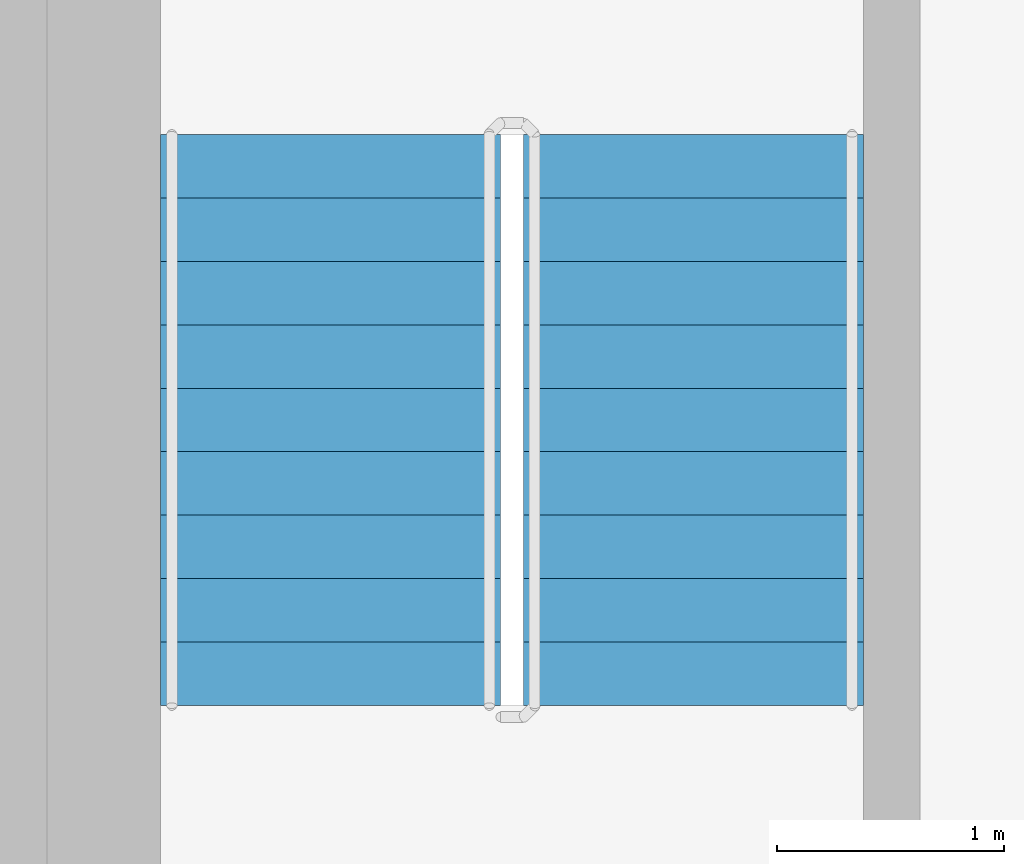
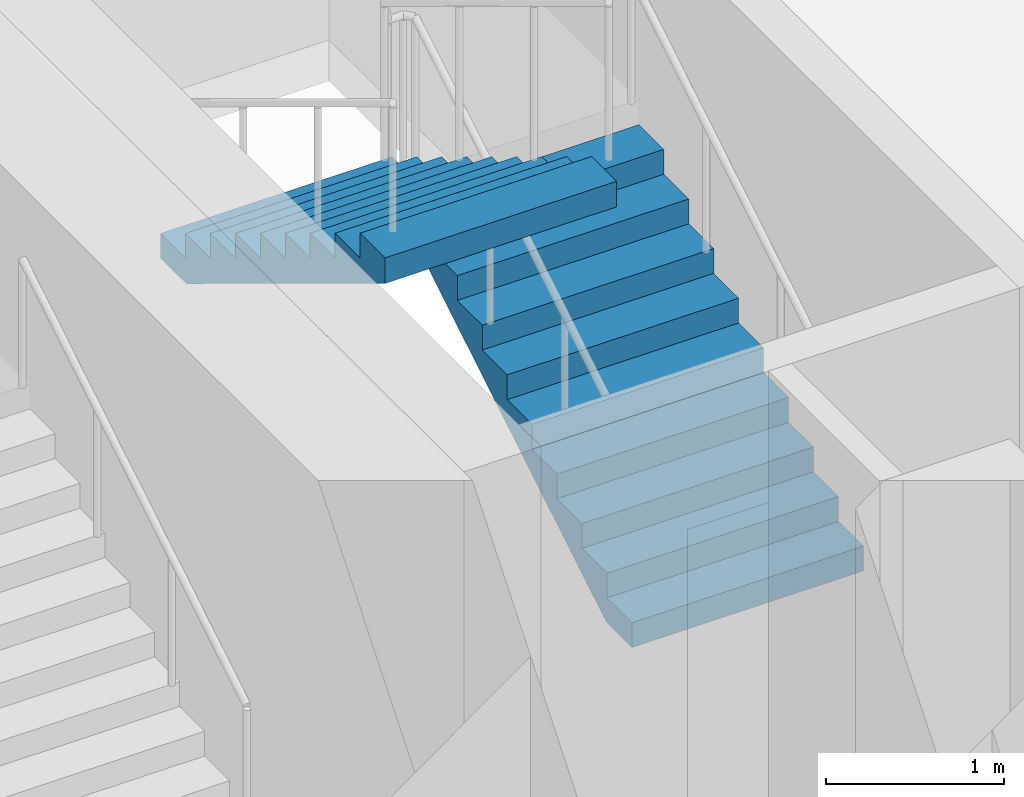
# One storey, part 19 of 22: 2 stair flights, 1 element without a shape of its own.
"""IFC4 building model written with IfcOpenShell, lengths in metres."""

from ifc_helpers import new_model, si_unit, direction, frame, origin, place, context, subcontext, project, spatial, triangles, source, transform, mapped, material, type_object, element, aggregate, save


model = new_model("IFC4")

# Units and contexts
model_context = context("Model", 3, precision=1e-05, world=origin(), true_north=direction((0.0, 1.0)))
body_context = subcontext(model_context, "Body", "Model", "MODEL_VIEW")
ifc_project = project(units=[si_unit("LENGTHUNIT", "METRE"), si_unit("AREAUNIT", "SQUARE_METRE"), si_unit("VOLUMEUNIT", "CUBIC_METRE"), si_unit("PLANEANGLEUNIT", "RADIAN"), si_unit("MASSUNIT", "GRAM", prefix="KILO")], contexts=[model_context])

# Site, building, storey
site_placement = place(None, origin())
site = spatial("IfcSite", under=ifc_project, at=site_placement, CompositionType="ELEMENT")
building_placement = place(site_placement, origin())
building = spatial("IfcBuilding", under=site, at=building_placement, Name="Kilnfold Tower and Market Hall", CompositionType="ELEMENT")
storey_placement = place(building_placement, frame((0.0, 0.0, 220.300048828125)))
storey = spatial("IfcBuildingStorey", under=building, at=storey_placement, Name="L54", CompositionType="ELEMENT", Elevation=220.300048828125)

# Stair, stair flights
ifc_material_1 = material(Name="Concrete C40/50", Category="concrete")
stair_type = type_object("IfcStairType", Name="CORE STAIR 1500", PredefinedType="HALF_TURN_STAIR", material=ifc_material_1)
stair_placement = place(storey_placement, origin())
stair = element("IfcStair", 1, at=stair_placement, inside=storey, type_object=stair_type, Name="L54 ST5", PredefinedType="HALF_TURN_STAIR")
ifc_material_2 = material(Name="Concrete C40/50", Category="concrete")
stair_flight_type = type_object("IfcStairFlightType", Name="CORE STAIR FLIGHT 1500", PredefinedType="STRAIGHT", material=ifc_material_2)
shared_shape = source(origin(), body_context, "Body", "Tessellation", [
    triangles([(0.0, 0.75, 0.0), (0.0, 0.65625, 0.0), (0.0, 0.5625, 0.0), (0.0, 0.46875, 0.0), (0.0, 0.375, 0.0), (0.0, 0.28125, 0.0), (0.0, 0.1875, 0.0), (0.0, 0.09375, 0.0), (0.0, 0.0, 0.0), (0.0, -0.09375, 0.0), (0.0, -0.1875, 0.0), (0.0, -0.28125, 0.0), (0.0, -0.375, 0.0), (0.0, -0.46875, 0.0), (0.0, -0.5625, 0.0), (0.0, -0.65625, 0.0), (0.0, -0.75, 0.0), (0.0, 0.75, 0.169921875), (0.0, 0.65625, 0.169921875), (0.0, 0.5625, 0.169921875), (0.0, 0.46875, 0.169921875), (0.0, 0.375, 0.169921875), (0.0, 0.28125, 0.169921875), (0.0, 0.1875, 0.169921875), (0.0, 0.09375, 0.169921875), (0.0, 0.0, 0.169921875), (0.0, -0.09375, 0.169921875), (0.0, -0.1875, 0.169921875), (0.0, -0.28125, 0.169921875), (0.0, -0.375, 0.169921875), (0.0, -0.46875, 0.169921875), (0.0, -0.5625, 0.169921875), (0.0, -0.65625, 0.169921875), (0.0, -0.75, 0.169921875), (0.280029296875, 0.75, 0.169921875), (0.280029296875, 0.65625, 0.169921875), (0.280029296875, 0.5625, 0.169921875), (0.280029296875, 0.46875, 0.169921875), (0.280029296875, 0.375, 0.169921875), (0.280029296875, 0.28125, 0.169921875), (0.280029296875, 0.1875, 0.169921875), (0.280029296875, 0.09375, 0.169921875), (0.280029296875, 0.0, 0.169921875), (0.280029296875, -0.09375, 0.169921875), (0.280029296875, -0.1875, 0.169921875), (0.280029296875, -0.28125, 0.169921875), (0.280029296875, -0.375, 0.169921875), (0.280029296875, -0.46875, 0.169921875), (0.280029296875, -0.5625, 0.169921875), (0.280029296875, -0.65625, 0.169921875), (0.280029296875, -0.75, 0.169921875), (0.280029296875, 0.75, 0.340087890625), (0.280029296875, 0.65625, 0.340087890625), (0.280029296875, 0.5625, 0.340087890625), (0.280029296875, 0.46875, 0.340087890625), (0.280029296875, 0.375, 0.340087890625), (0.280029296875, 0.28125, 0.340087890625), (0.280029296875, 0.1875, 0.340087890625), (0.280029296875, 0.09375, 0.340087890625), (0.280029296875, 0.0, 0.340087890625), (0.280029296875, -0.09375, 0.340087890625), (0.280029296875, -0.1875, 0.340087890625), (0.280029296875, -0.28125, 0.340087890625), (0.280029296875, -0.375, 0.340087890625), (0.280029296875, -0.46875, 0.340087890625), (0.280029296875, -0.5625, 0.340087890625), (0.280029296875, -0.65625, 0.340087890625), (0.280029296875, -0.75, 0.340087890625), (0.56005859375, 0.75, 0.340087890625), (0.56005859375, 0.65625, 0.340087890625), (0.56005859375, 0.5625, 0.340087890625), (0.56005859375, 0.46875, 0.340087890625), (0.56005859375, 0.375, 0.340087890625), (0.56005859375, 0.28125, 0.340087890625), (0.56005859375, 0.1875, 0.340087890625), (0.56005859375, 0.09375, 0.340087890625), (0.56005859375, 0.0, 0.340087890625), (0.56005859375, -0.09375, 0.340087890625), (0.56005859375, -0.1875, 0.340087890625), (0.56005859375, -0.28125, 0.340087890625), (0.56005859375, -0.375, 0.340087890625), (0.56005859375, -0.46875, 0.340087890625), (0.56005859375, -0.5625, 0.340087890625), (0.56005859375, -0.65625, 0.340087890625), (0.56005859375, -0.75, 0.340087890625), (0.56005859375, 0.75, 0.510009765625), (0.56005859375, 0.65625, 0.510009765625), (0.56005859375, 0.5625, 0.510009765625), (0.56005859375, 0.46875, 0.510009765625), (0.56005859375, 0.375, 0.510009765625), (0.56005859375, 0.28125, 0.510009765625), (0.56005859375, 0.1875, 0.510009765625), (0.56005859375, 0.09375, 0.510009765625), (0.56005859375, 0.0, 0.510009765625), (0.56005859375, -0.09375, 0.510009765625), (0.56005859375, -0.1875, 0.510009765625), (0.56005859375, -0.28125, 0.510009765625), (0.56005859375, -0.375, 0.510009765625), (0.56005859375, -0.46875, 0.510009765625), (0.56005859375, -0.5625, 0.510009765625), (0.56005859375, -0.65625, 0.510009765625), (0.56005859375, -0.75, 0.510009765625), (0.840087890625, 0.75, 0.510009765625), (0.840087890625, 0.65625, 0.510009765625), (0.840087890625, 0.5625, 0.510009765625), (0.840087890625, 0.46875, 0.510009765625), (0.840087890625, 0.375, 0.510009765625), (0.840087890625, 0.28125, 0.510009765625), (0.840087890625, 0.1875, 0.510009765625), (0.840087890625, 0.09375, 0.510009765625), (0.840087890625, 0.0, 0.510009765625), (0.840087890625, -0.09375, 0.510009765625), (0.840087890625, -0.1875, 0.510009765625), (0.840087890625, -0.28125, 0.510009765625), (0.840087890625, -0.375, 0.510009765625), (0.840087890625, -0.46875, 0.510009765625), (0.840087890625, -0.5625, 0.510009765625), (0.840087890625, -0.65625, 0.510009765625), (0.840087890625, -0.75, 0.510009765625), (0.840087890625, 0.75, 0.679931640625), (0.840087890625, 0.65625, 0.679931640625), (0.840087890625, 0.5625, 0.679931640625), (0.840087890625, 0.46875, 0.679931640625), (0.840087890625, 0.375, 0.679931640625), (0.840087890625, 0.28125, 0.679931640625), (0.840087890625, 0.1875, 0.679931640625), (0.840087890625, 0.09375, 0.679931640625), (0.840087890625, 0.0, 0.679931640625), (0.840087890625, -0.09375, 0.679931640625), (0.840087890625, -0.1875, 0.679931640625), (0.840087890625, -0.28125, 0.679931640625), (0.840087890625, -0.375, 0.679931640625), (0.840087890625, -0.46875, 0.679931640625), (0.840087890625, -0.5625, 0.679931640625), (0.840087890625, -0.65625, 0.679931640625), (0.840087890625, -0.75, 0.679931640625), (1.1201171875, 0.75, 0.679931640625), (1.1201171875, 0.65625, 0.679931640625), (1.1201171875, 0.5625, 0.679931640625), (1.1201171875, 0.46875, 0.679931640625), (1.1201171875, 0.375, 0.679931640625), (1.1201171875, 0.28125, 0.679931640625), (1.1201171875, 0.1875, 0.679931640625), (1.1201171875, 0.09375, 0.679931640625), (1.1201171875, 0.0, 0.679931640625), (1.1201171875, -0.09375, 0.679931640625), (1.1201171875, -0.1875, 0.679931640625), (1.1201171875, -0.28125, 0.679931640625), (1.1201171875, -0.375, 0.679931640625), (1.1201171875, -0.46875, 0.679931640625), (1.1201171875, -0.5625, 0.679931640625), (1.1201171875, -0.65625, 0.679931640625), (1.1201171875, -0.75, 0.679931640625), (1.1201171875, 0.75, 0.85009765625), (1.1201171875, 0.65625, 0.85009765625), (1.1201171875, 0.5625, 0.85009765625), (1.1201171875, 0.46875, 0.85009765625), (1.1201171875, 0.375, 0.85009765625), (1.1201171875, 0.28125, 0.85009765625), (1.1201171875, 0.1875, 0.85009765625), (1.1201171875, 0.09375, 0.85009765625), (1.1201171875, 0.0, 0.85009765625), (1.1201171875, -0.09375, 0.85009765625), (1.1201171875, -0.1875, 0.85009765625), (1.1201171875, -0.28125, 0.85009765625), (1.1201171875, -0.375, 0.85009765625), (1.1201171875, -0.46875, 0.85009765625), (1.1201171875, -0.5625, 0.85009765625), (1.1201171875, -0.65625, 0.85009765625), (1.1201171875, -0.75, 0.85009765625), (1.39990234375, 0.75, 0.85009765625), (1.39990234375, 0.65625, 0.85009765625), (1.39990234375, 0.5625, 0.85009765625), (1.39990234375, 0.46875, 0.85009765625), (1.39990234375, 0.375, 0.85009765625), (1.39990234375, 0.28125, 0.85009765625), (1.39990234375, 0.1875, 0.85009765625), (1.39990234375, 0.09375, 0.85009765625), (1.39990234375, 0.0, 0.85009765625), (1.39990234375, -0.09375, 0.85009765625), (1.39990234375, -0.1875, 0.85009765625), (1.39990234375, -0.28125, 0.85009765625), (1.39990234375, -0.375, 0.85009765625), (1.39990234375, -0.46875, 0.85009765625), (1.39990234375, -0.5625, 0.85009765625), (1.39990234375, -0.65625, 0.85009765625), (1.39990234375, -0.75, 0.85009765625), (1.39990234375, 0.75, 1.02001953125), (1.39990234375, 0.65625, 1.02001953125), (1.39990234375, 0.5625, 1.02001953125), (1.39990234375, 0.46875, 1.02001953125), (1.39990234375, 0.375, 1.02001953125), (1.39990234375, 0.28125, 1.02001953125), (1.39990234375, 0.1875, 1.02001953125), (1.39990234375, 0.09375, 1.02001953125), (1.39990234375, 0.0, 1.02001953125), (1.39990234375, -0.09375, 1.02001953125), (1.39990234375, -0.1875, 1.02001953125), (1.39990234375, -0.28125, 1.02001953125), (1.39990234375, -0.375, 1.02001953125), (1.39990234375, -0.46875, 1.02001953125), (1.39990234375, -0.5625, 1.02001953125), (1.39990234375, -0.65625, 1.02001953125), (1.39990234375, -0.75, 1.02001953125), (1.679931640625, 0.75, 1.02001953125), (1.679931640625, 0.65625, 1.02001953125), (1.679931640625, 0.5625, 1.02001953125), (1.679931640625, 0.46875, 1.02001953125), (1.679931640625, 0.375, 1.02001953125), (1.679931640625, 0.28125, 1.02001953125), (1.679931640625, 0.1875, 1.02001953125), (1.679931640625, 0.09375, 1.02001953125), (1.679931640625, 0.0, 1.02001953125), (1.679931640625, -0.09375, 1.02001953125), (1.679931640625, -0.1875, 1.02001953125), (1.679931640625, -0.28125, 1.02001953125), (1.679931640625, -0.375, 1.02001953125), (1.679931640625, -0.46875, 1.02001953125), (1.679931640625, -0.5625, 1.02001953125), (1.679931640625, -0.65625, 1.02001953125), (1.679931640625, -0.75, 1.02001953125), (1.679931640625, 0.75, 1.18994140625), (1.679931640625, 0.65625, 1.18994140625), (1.679931640625, 0.5625, 1.18994140625), (1.679931640625, 0.46875, 1.18994140625), (1.679931640625, 0.375, 1.18994140625), (1.679931640625, 0.28125, 1.18994140625), (1.679931640625, 0.1875, 1.18994140625), (1.679931640625, 0.09375, 1.18994140625), (1.679931640625, 0.0, 1.18994140625), (1.679931640625, -0.09375, 1.18994140625), (1.679931640625, -0.1875, 1.18994140625), (1.679931640625, -0.28125, 1.18994140625), (1.679931640625, -0.375, 1.18994140625), (1.679931640625, -0.46875, 1.18994140625), (1.679931640625, -0.5625, 1.18994140625), (1.679931640625, -0.65625, 1.18994140625), (1.679931640625, -0.75, 1.18994140625), (1.9599609375, 0.75, 1.18994140625), (1.9599609375, 0.65625, 1.18994140625), (1.9599609375, 0.5625, 1.18994140625), (1.9599609375, 0.46875, 1.18994140625), (1.9599609375, 0.375, 1.18994140625), (1.9599609375, 0.28125, 1.18994140625), (1.9599609375, 0.1875, 1.18994140625), (1.9599609375, 0.09375, 1.18994140625), (1.9599609375, 0.0, 1.18994140625), (1.9599609375, -0.09375, 1.18994140625), (1.9599609375, -0.1875, 1.18994140625), (1.9599609375, -0.28125, 1.18994140625), (1.9599609375, -0.375, 1.18994140625), (1.9599609375, -0.46875, 1.18994140625), (1.9599609375, -0.5625, 1.18994140625), (1.9599609375, -0.65625, 1.18994140625), (1.9599609375, -0.75, 1.18994140625), (1.9599609375, 0.75, 1.360107421875), (1.9599609375, 0.65625, 1.360107421875), (1.9599609375, 0.5625, 1.360107421875), (1.9599609375, 0.46875, 1.360107421875), (1.9599609375, 0.375, 1.360107421875), (1.9599609375, 0.28125, 1.360107421875), (1.9599609375, 0.1875, 1.360107421875), (1.9599609375, 0.09375, 1.360107421875), (1.9599609375, 0.0, 1.360107421875), (1.9599609375, -0.09375, 1.360107421875), (1.9599609375, -0.1875, 1.360107421875), (1.9599609375, -0.28125, 1.360107421875), (1.9599609375, -0.375, 1.360107421875), (1.9599609375, -0.46875, 1.360107421875), (1.9599609375, -0.5625, 1.360107421875), (1.9599609375, -0.65625, 1.360107421875), (1.9599609375, -0.75, 1.360107421875), (2.239990234375, 0.75, 1.360107421875), (2.239990234375, 0.65625, 1.360107421875), (2.239990234375, 0.5625, 1.360107421875), (2.239990234375, 0.46875, 1.360107421875), (2.239990234375, 0.375, 1.360107421875), (2.239990234375, 0.28125, 1.360107421875), (2.239990234375, 0.1875, 1.360107421875), (2.239990234375, 0.09375, 1.360107421875), (2.239990234375, 0.0, 1.360107421875), (2.239990234375, -0.09375, 1.360107421875), (2.239990234375, -0.1875, 1.360107421875), (2.239990234375, -0.28125, 1.360107421875), (2.239990234375, -0.375, 1.360107421875), (2.239990234375, -0.46875, 1.360107421875), (2.239990234375, -0.5625, 1.360107421875), (2.239990234375, -0.65625, 1.360107421875), (2.239990234375, -0.75, 1.360107421875), (2.239990234375, 0.75, 1.530029296875), (2.239990234375, 0.65625, 1.530029296875), (2.239990234375, 0.5625, 1.530029296875), (2.239990234375, 0.46875, 1.530029296875), (2.239990234375, 0.375, 1.530029296875), (2.239990234375, 0.28125, 1.530029296875), (2.239990234375, 0.1875, 1.530029296875), (2.239990234375, 0.09375, 1.530029296875), (2.239990234375, 0.0, 1.530029296875), (2.239990234375, -0.09375, 1.530029296875), (2.239990234375, -0.1875, 1.530029296875), (2.239990234375, -0.28125, 1.530029296875), (2.239990234375, -0.375, 1.530029296875), (2.239990234375, -0.46875, 1.530029296875), (2.239990234375, -0.5625, 1.530029296875), (2.239990234375, -0.65625, 1.530029296875), (2.239990234375, -0.75, 1.530029296875), (2.52001953125, 0.75, 1.530029296875), (2.52001953125, 0.65625, 1.530029296875), (2.52001953125, 0.5625, 1.530029296875), (2.52001953125, 0.46875, 1.530029296875), (2.52001953125, 0.375, 1.530029296875), (2.52001953125, 0.28125, 1.530029296875), (2.52001953125, 0.1875, 1.530029296875), (2.52001953125, 0.09375, 1.530029296875), (2.52001953125, 0.0, 1.530029296875), (2.52001953125, -0.09375, 1.530029296875), (2.52001953125, -0.1875, 1.530029296875), (2.52001953125, -0.28125, 1.530029296875), (2.52001953125, -0.375, 1.530029296875), (2.52001953125, -0.46875, 1.530029296875), (2.52001953125, -0.5625, 1.530029296875), (2.52001953125, -0.65625, 1.530029296875), (2.52001953125, -0.75, 1.530029296875), (2.52001953125, 0.75, 1.354736328125), (2.52001953125, 0.65625, 1.354736328125), (2.52001953125, 0.5625, 1.354736328125), (2.52001953125, 0.46875, 1.354736328125), (2.52001953125, 0.375, 1.354736328125), (2.52001953125, 0.28125, 1.354736328125), (2.52001953125, 0.1875, 1.354736328125), (2.52001953125, 0.09375, 1.354736328125), (2.52001953125, 0.0, 1.354736328125), (2.52001953125, -0.09375, 1.354736328125), (2.52001953125, -0.1875, 1.354736328125), (2.52001953125, -0.28125, 1.354736328125), (2.52001953125, -0.375, 1.354736328125), (2.52001953125, -0.46875, 1.354736328125), (2.52001953125, -0.5625, 1.354736328125), (2.52001953125, -0.65625, 1.354736328125), (2.52001953125, -0.75, 1.354736328125), (0.288818359375, 0.75, 0.0), (0.288818359375, 0.65625, 0.0), (0.288818359375, 0.5625, 0.0), (0.288818359375, 0.46875, 0.0), (0.288818359375, 0.375, 0.0), (0.288818359375, 0.28125, 0.0), (0.288818359375, 0.1875, 0.0), (0.288818359375, 0.09375, 0.0), (0.288818359375, 0.0, 0.0), (0.288818359375, -0.09375, 0.0), (0.288818359375, -0.1875, 0.0), (0.288818359375, -0.28125, 0.0), (0.288818359375, -0.375, 0.0), (0.288818359375, -0.46875, 0.0), (0.288818359375, -0.5625, 0.0), (0.288818359375, -0.65625, 0.0), (0.288818359375, -0.75, 0.0)], [[1, 324, 341], [17, 357, 340], [324, 290, 307], [340, 323, 306], [324, 273, 290], [340, 306, 289], [324, 256, 273], [340, 289, 272], [324, 239, 256], [340, 272, 255], [239, 205, 222], [255, 238, 221], [324, 205, 239], [340, 255, 221], [205, 171, 188], [221, 204, 187], [324, 171, 205], [340, 221, 187], [171, 137, 154], [187, 170, 153], [324, 137, 171], [340, 187, 153], [137, 103, 120], [153, 136, 119], [324, 103, 137], [340, 153, 119], [103, 69, 86], [119, 102, 85], [324, 69, 103], [340, 119, 85], [69, 35, 52], [85, 68, 51], [324, 35, 69], [340, 85, 51], [1, 35, 324], [17, 340, 51], [35, 1, 18], [51, 34, 17], [1, 19, 18], [1, 2, 19], [2, 20, 19], [2, 3, 20], [3, 21, 20], [3, 4, 21], [4, 22, 21], [4, 5, 22], [5, 23, 22], [5, 6, 23], [6, 24, 23], [6, 7, 24], [7, 25, 24], [7, 8, 25], [8, 26, 25], [8, 9, 26], [9, 27, 26], [9, 10, 27], [10, 28, 27], [10, 11, 28], [11, 29, 28], [11, 12, 29], [12, 30, 29], [12, 13, 30], [13, 31, 30], [13, 14, 31], [14, 32, 31], [14, 15, 32], [15, 33, 32], [15, 16, 33], [16, 34, 33], [16, 17, 34], [18, 36, 35], [18, 19, 36], [19, 37, 36], [19, 20, 37], [20, 38, 37], [20, 21, 38], [21, 39, 38], [21, 22, 39], [22, 40, 39], [22, 23, 40], [23, 41, 40], [23, 24, 41], [24, 42, 41], [24, 25, 42], [25, 43, 42], [25, 26, 43], [26, 44, 43], [26, 27, 44], [27, 45, 44], [27, 28, 45], [28, 46, 45], [28, 29, 46], [29, 47, 46], [29, 30, 47], [30, 48, 47], [30, 31, 48], [31, 49, 48], [31, 32, 49], [32, 50, 49], [32, 33, 50], [33, 51, 50], [33, 34, 51], [35, 53, 52], [35, 36, 53], [36, 54, 53], [36, 37, 54], [37, 55, 54], [37, 38, 55], [38, 56, 55], [38, 39, 56], [39, 57, 56], [39, 40, 57], [40, 58, 57], [40, 41, 58], [41, 59, 58], [41, 42, 59], [42, 60, 59], [42, 43, 60], [43, 61, 60], [43, 44, 61], [44, 62, 61], [44, 45, 62], [45, 63, 62], [45, 46, 63], [46, 64, 63], [46, 47, 64], [47, 65, 64], [47, 48, 65], [48, 66, 65], [48, 49, 66], [49, 67, 66], [49, 50, 67], [50, 68, 67], [50, 51, 68], [52, 70, 69], [52, 53, 70], [53, 71, 70], [53, 54, 71], [54, 72, 71], [54, 55, 72], [55, 73, 72], [55, 56, 73], [56, 74, 73], [56, 57, 74], [57, 75, 74], [57, 58, 75], [58, 76, 75], [58, 59, 76], [59, 77, 76], [59, 60, 77], [60, 78, 77], [60, 61, 78], [61, 79, 78], [61, 62, 79], [62, 80, 79], [62, 63, 80], [63, 81, 80], [63, 64, 81], [64, 82, 81], [64, 65, 82], [65, 83, 82], [65, 66, 83], [66, 84, 83], [66, 67, 84], [67, 85, 84], [67, 68, 85], [69, 87, 86], [69, 70, 87], [70, 88, 87], [70, 71, 88], [71, 89, 88], [71, 72, 89], [72, 90, 89], [72, 73, 90], [73, 91, 90], [73, 74, 91], [74, 92, 91], [74, 75, 92], [75, 93, 92], [75, 76, 93], [76, 94, 93], [76, 77, 94], [77, 95, 94], [77, 78, 95], [78, 96, 95], [78, 79, 96], [79, 97, 96], [79, 80, 97], [80, 98, 97], [80, 81, 98], [81, 99, 98], [81, 82, 99], [82, 100, 99], [82, 83, 100], [83, 101, 100], [83, 84, 101], [84, 102, 101], [84, 85, 102], [86, 104, 103], [86, 87, 104], [87, 105, 104], [87, 88, 105], [88, 106, 105], [88, 89, 106], [89, 107, 106], [89, 90, 107], [90, 108, 107], [90, 91, 108], [91, 109, 108], [91, 92, 109], [92, 110, 109], [92, 93, 110], [93, 111, 110], [93, 94, 111], [94, 112, 111], [94, 95, 112], [95, 113, 112], [95, 96, 113], [96, 114, 113], [96, 97, 114], [97, 115, 114], [97, 98, 115], [98, 116, 115], [98, 99, 116], [99, 117, 116], [99, 100, 117], [100, 118, 117], [100, 101, 118], [101, 119, 118], [101, 102, 119], [103, 121, 120], [103, 104, 121], [104, 122, 121], [104, 105, 122], [105, 123, 122], [105, 106, 123], [106, 124, 123], [106, 107, 124], [107, 125, 124], [107, 108, 125], [108, 126, 125], [108, 109, 126], [109, 127, 126], [109, 110, 127], [110, 128, 127], [110, 111, 128], [111, 129, 128], [111, 112, 129], [112, 130, 129], [112, 113, 130], [113, 131, 130], [113, 114, 131], [114, 132, 131], [114, 115, 132], [115, 133, 132], [115, 116, 133], [116, 134, 133], [116, 117, 134], [117, 135, 134], [117, 118, 135], [118, 136, 135], [118, 119, 136], [120, 138, 137], [120, 121, 138], [121, 139, 138], [121, 122, 139], [122, 140, 139], [122, 123, 140], [123, 141, 140], [123, 124, 141], [124, 142, 141], [124, 125, 142], [125, 143, 142], [125, 126, 143], [126, 144, 143], [126, 127, 144], [127, 145, 144], [127, 128, 145], [128, 146, 145], [128, 129, 146], [129, 147, 146], [129, 130, 147], [130, 148, 147], [130, 131, 148], [131, 149, 148], [131, 132, 149], [132, 150, 149], [132, 133, 150], [133, 151, 150], [133, 134, 151], [134, 152, 151], [134, 135, 152], [135, 153, 152], [135, 136, 153], [137, 155, 154], [137, 138, 155], [138, 156, 155], [138, 139, 156], [139, 157, 156], [139, 140, 157], [140, 158, 157], [140, 141, 158], [141, 159, 158], [141, 142, 159], [142, 160, 159], [142, 143, 160], [143, 161, 160], [143, 144, 161], [144, 162, 161], [144, 145, 162], [145, 163, 162], [145, 146, 163], [146, 164, 163], [146, 147, 164], [147, 165, 164], [147, 148, 165], [148, 166, 165], [148, 149, 166], [149, 167, 166], [149, 150, 167], [150, 168, 167], [150, 151, 168], [151, 169, 168], [151, 152, 169], [152, 170, 169], [152, 153, 170], [154, 172, 171], [154, 155, 172], [155, 173, 172], [155, 156, 173], [156, 174, 173], [156, 157, 174], [157, 175, 174], [157, 158, 175], [158, 176, 175], [158, 159, 176], [159, 177, 176], [159, 160, 177], [160, 178, 177], [160, 161, 178], [161, 179, 178], [161, 162, 179], [162, 180, 179], [162, 163, 180], [163, 181, 180], [163, 164, 181], [164, 182, 181], [164, 165, 182], [165, 183, 182], [165, 166, 183], [166, 184, 183], [166, 167, 184], [167, 185, 184], [167, 168, 185], [168, 186, 185], [168, 169, 186], [169, 187, 186], [169, 170, 187], [171, 189, 188], [171, 172, 189], [172, 190, 189], [172, 173, 190], [173, 191, 190], [173, 174, 191], [174, 192, 191], [174, 175, 192], [175, 193, 192], [175, 176, 193], [176, 194, 193], [176, 177, 194], [177, 195, 194], [177, 178, 195], [178, 196, 195], [178, 179, 196], [179, 197, 196], [179, 180, 197], [180, 198, 197], [180, 181, 198], [181, 199, 198], [181, 182, 199], [182, 200, 199], [182, 183, 200], [183, 201, 200], [183, 184, 201], [184, 202, 201], [184, 185, 202], [185, 203, 202], [185, 186, 203], [186, 204, 203], [186, 187, 204], [188, 206, 205], [188, 189, 206], [189, 207, 206], [189, 190, 207], [190, 208, 207], [190, 191, 208], [191, 209, 208], [191, 192, 209], [192, 210, 209], [192, 193, 210], [193, 211, 210], [193, 194, 211], [194, 212, 211], [194, 195, 212], [195, 213, 212], [195, 196, 213], [196, 214, 213], [196, 197, 214], [197, 215, 214], [197, 198, 215], [198, 216, 215], [198, 199, 216], [199, 217, 216], [199, 200, 217], [200, 218, 217], [200, 201, 218], [201, 219, 218], [201, 202, 219], [202, 220, 219], [202, 203, 220], [203, 221, 220], [203, 204, 221], [205, 223, 222], [205, 206, 223], [206, 224, 223], [206, 207, 224], [207, 225, 224], [207, 208, 225], [208, 226, 225], [208, 209, 226], [209, 227, 226], [209, 210, 227], [210, 228, 227], [210, 211, 228], [211, 229, 228], [211, 212, 229], [212, 230, 229], [212, 213, 230], [213, 231, 230], [213, 214, 231], [214, 232, 231], [214, 215, 232], [215, 233, 232], [215, 216, 233], [216, 234, 233], [216, 217, 234], [217, 235, 234], [217, 218, 235], [218, 236, 235], [218, 219, 236], [219, 237, 236], [219, 220, 237], [220, 238, 237], [220, 221, 238], [222, 240, 239], [222, 223, 240], [223, 241, 240], [223, 224, 241], [224, 242, 241], [224, 225, 242], [225, 243, 242], [225, 226, 243], [226, 244, 243], [226, 227, 244], [227, 245, 244], [227, 228, 245], [228, 246, 245], [228, 229, 246], [229, 247, 246], [229, 230, 247], [230, 248, 247], [230, 231, 248], [231, 249, 248], [231, 232, 249], [232, 250, 249], [232, 233, 250], [233, 251, 250], [233, 234, 251], [234, 252, 251], [234, 235, 252], [235, 253, 252], [235, 236, 253], [236, 254, 253], [236, 237, 254], [237, 255, 254], [237, 238, 255], [239, 257, 256], [239, 240, 257], [240, 258, 257], [240, 241, 258], [241, 259, 258], [241, 242, 259], [242, 260, 259], [242, 243, 260], [243, 261, 260], [243, 244, 261], [244, 262, 261], [244, 245, 262], [245, 263, 262], [245, 246, 263], [246, 264, 263], [246, 247, 264], [247, 265, 264], [247, 248, 265], [248, 266, 265], [248, 249, 266], [249, 267, 266], [249, 250, 267], [250, 268, 267], [250, 251, 268], [251, 269, 268], [251, 252, 269], [252, 270, 269], [252, 253, 270], [253, 271, 270], [253, 254, 271], [254, 272, 271], [254, 255, 272], [256, 274, 273], [256, 257, 274], [257, 275, 274], [257, 258, 275], [258, 276, 275], [258, 259, 276], [259, 277, 276], [259, 260, 277], [260, 278, 277], [260, 261, 278], [261, 279, 278], [261, 262, 279], [262, 280, 279], [262, 263, 280], [263, 281, 280], [263, 264, 281], [264, 282, 281], [264, 265, 282], [265, 283, 282], [265, 266, 283], [266, 284, 283], [266, 267, 284], [267, 285, 284], [267, 268, 285], [268, 286, 285], [268, 269, 286], [269, 287, 286], [269, 270, 287], [270, 288, 287], [270, 271, 288], [271, 289, 288], [271, 272, 289], [273, 291, 290], [273, 274, 291], [274, 292, 291], [274, 275, 292], [275, 293, 292], [275, 276, 293], [276, 294, 293], [276, 277, 294], [277, 295, 294], [277, 278, 295], [278, 296, 295], [278, 279, 296], [279, 297, 296], [279, 280, 297], [280, 298, 297], [280, 281, 298], [281, 299, 298], [281, 282, 299], [282, 300, 299], [282, 283, 300], [283, 301, 300], [283, 284, 301], [284, 302, 301], [284, 285, 302], [285, 303, 302], [285, 286, 303], [286, 304, 303], [286, 287, 304], [287, 305, 304], [287, 288, 305], [288, 306, 305], [288, 289, 306], [290, 308, 307], [290, 291, 308], [291, 309, 308], [291, 292, 309], [292, 310, 309], [292, 293, 310], [293, 311, 310], [293, 294, 311], [294, 312, 311], [294, 295, 312], [295, 313, 312], [295, 296, 313], [296, 314, 313], [296, 297, 314], [297, 315, 314], [297, 298, 315], [298, 316, 315], [298, 299, 316], [299, 317, 316], [299, 300, 317], [300, 318, 317], [300, 301, 318], [301, 319, 318], [301, 302, 319], [302, 320, 319], [302, 303, 320], [303, 321, 320], [303, 304, 321], [304, 322, 321], [304, 305, 322], [305, 323, 322], [305, 306, 323], [307, 325, 324], [307, 308, 325], [308, 326, 325], [308, 309, 326], [309, 327, 326], [309, 310, 327], [310, 328, 327], [310, 311, 328], [311, 329, 328], [311, 312, 329], [312, 330, 329], [312, 313, 330], [313, 331, 330], [313, 314, 331], [314, 332, 331], [314, 315, 332], [315, 333, 332], [315, 316, 333], [316, 334, 333], [316, 317, 334], [317, 335, 334], [317, 318, 335], [318, 336, 335], [318, 319, 336], [319, 337, 336], [319, 320, 337], [320, 338, 337], [320, 321, 338], [321, 339, 338], [321, 322, 339], [322, 340, 339], [322, 323, 340], [324, 342, 341], [324, 325, 342], [325, 343, 342], [325, 326, 343], [326, 344, 343], [326, 327, 344], [327, 345, 344], [327, 328, 345], [328, 346, 345], [328, 329, 346], [329, 347, 346], [329, 330, 347], [330, 348, 347], [330, 331, 348], [331, 349, 348], [331, 332, 349], [332, 350, 349], [332, 333, 350], [333, 351, 350], [333, 334, 351], [334, 352, 351], [334, 335, 352], [335, 353, 352], [335, 336, 353], [336, 354, 353], [336, 337, 354], [337, 355, 354], [337, 338, 355], [338, 356, 355], [338, 339, 356], [339, 357, 356], [339, 340, 357], [341, 2, 1], [341, 342, 2], [342, 3, 2], [342, 343, 3], [343, 4, 3], [343, 344, 4], [344, 5, 4], [344, 345, 5], [345, 6, 5], [345, 346, 6], [346, 7, 6], [346, 347, 7], [347, 8, 7], [347, 348, 8], [348, 9, 8], [348, 349, 9], [349, 10, 9], [349, 350, 10], [350, 11, 10], [350, 351, 11], [351, 12, 11], [351, 352, 12], [352, 13, 12], [352, 353, 13], [353, 14, 13], [353, 354, 14], [354, 15, 14], [354, 355, 15], [355, 16, 15], [355, 356, 16], [356, 17, 16], [356, 357, 17]], closed=True),
])
stair_flight_1_placement = place(storey_placement, frame((20.699951171875, 11.5, 0.0), z_axis=(0.0, 0.0, 1.0), x_axis=(0.0, 1.0, 0.0)))
stair_flight_1 = element("IfcStairFlight", 2, at=stair_flight_1_placement, type_object=stair_flight_type, Name="ST5 flight 1", NumberOfRisers=10, NumberOfTreads=9, PredefinedType="STRAIGHT", RiserHeight=0.17, TreadLength=0.28, context=body_context, shape_type="MappedRepresentation", body=[
    mapped(shared_shape, transform((0.0, 0.0, 0.0))),
])
stair_flight_2_placement = place(storey_placement, frame((19.10009765625, 14.02001953125, 1.699951171875), z_axis=(0.0, 0.0, 1.0), x_axis=(0.0, -1.0, 0.0)))
stair_flight_2 = element("IfcStairFlight", 3, at=stair_flight_2_placement, type_object=stair_flight_type, Name="ST5 flight 2", NumberOfRisers=10, NumberOfTreads=9, PredefinedType="STRAIGHT", RiserHeight=0.17, TreadLength=0.28, context=body_context, shape_type="MappedRepresentation", body=[
    mapped(shared_shape, transform((0.0, 0.0, 0.0))),
])
aggregate(stair, [stair_flight_1, stair_flight_2])

save(model, "model.ifc")
